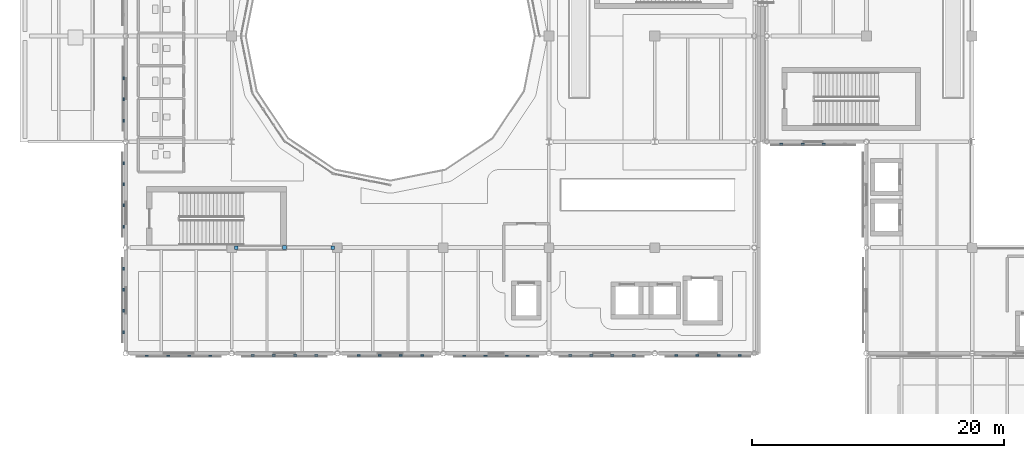
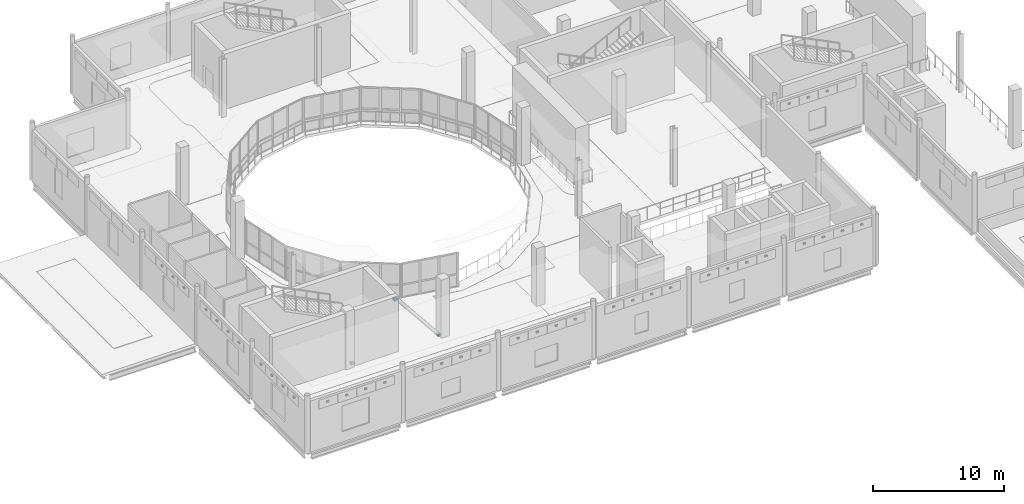
# One storey, part 75 of 110: 41 discrete accessories.
"""IFC4 building model written with IfcOpenShell, lengths in metres."""

from ifc_helpers import new_model, si_unit, direction, frame, origin, origin_2d, place, context, subcontext, project, spatial, rectangle, extrude, material, type_object, element, save


model = new_model("IFC4")

# Units and contexts
model_context = context("Model", 3, precision=1e-05, world=origin(), true_north=direction((0.0, 1.0)))
body_context = subcontext(model_context, "Body", "Model", "MODEL_VIEW")
ifc_project = project(units=[si_unit("LENGTHUNIT", "METRE"), si_unit("AREAUNIT", "SQUARE_METRE"), si_unit("VOLUMEUNIT", "CUBIC_METRE"), si_unit("PLANEANGLEUNIT", "RADIAN"), si_unit("MASSUNIT", "GRAM", prefix="KILO"), si_unit("THERMODYNAMICTEMPERATUREUNIT", "KELVIN")], contexts=[model_context])

# Site, building, storey
site_placement = place(None, origin())
site = spatial("IfcSite", under=ifc_project, at=site_placement, CompositionType="ELEMENT")
building_placement = place(site_placement, origin())
building = spatial("IfcBuilding", under=site, at=building_placement, Name="Lustrewick Department Store", CompositionType="ELEMENT")
storey_placement = place(building_placement, frame((0.0, 0.0, 6.0)))
storey = spatial("IfcBuildingStorey", under=building, at=storey_placement, Name="L02", CompositionType="ELEMENT", Elevation=6.0)

# Discrete accessories
ifc_material_1 = material(Name="Anodized filigree aluminium 6061-T6", Category="aluminium")
discrete_accessory_type_1 = type_object("IfcDiscreteAccessoryType", Name="BRK-FIL", PredefinedType="BRACKET", material=ifc_material_1)
for number, where, z_axis, x_axis, name in (
    (1, (8.219970703125, 63.840087890625, 4.1171875), (0.0, 0.0, 1.0), (0.0, -1.0, 0.0), "L02 Filigree Stand-Off Bracket 0042"),
    (2, (8.219970703125, 62.159912109375, 4.1171875), (0.0, 0.0, 1.0), (0.0, -1.0, 0.0), "L02 Filigree Stand-Off Bracket 0043"),
    (3, (8.219970703125, 60.47998046875, 4.1171875), (0.0, 0.0, 1.0), (0.0, -1.0, 0.0), "L02 Filigree Stand-Off Bracket 0044"),
    (4, (8.2099609375, 57.11279296875, 4.1171875), (0.0, 0.0, 1.0), (0.0, -1.0, 0.0), "L02 Filigree Stand-Off Bracket 0045"),
    (5, (8.2099609375, 55.4326171875, 4.1171875), (0.0, 0.0, 1.0), (0.0, -1.0, 0.0), "L02 Filigree Stand-Off Bracket 0046"),
    (6, (8.2099609375, 53.752685546875, 4.1171875), (0.0, 0.0, 1.0), (0.0, -1.0, 0.0), "L02 Filigree Stand-Off Bracket 0047"),
    (7, (8.2099609375, 52.07275390625, 4.1171875), (0.0, 0.0, 1.0), (0.0, -1.0, 0.0), "L02 Filigree Stand-Off Bracket 0048"),
    (8, (8.199951171875, 48.727294921875, 4.1171875), (0.0, 0.0, 1.0), (0.0, -1.0, 0.0), "L02 Filigree Stand-Off Bracket 0049"),
    (9, (8.199951171875, 47.04736328125, 4.1171875), (0.0, 0.0, 1.0), (0.0, -1.0, 0.0), "L02 Filigree Stand-Off Bracket 0050"),
    (10, (8.199951171875, 45.3671875, 4.1171875), (0.0, 0.0, 1.0), (0.0, -1.0, 0.0), "L02 Filigree Stand-Off Bracket 0051"),
    (11, (8.199951171875, 43.687255859375, 4.1171875), (0.0, 0.0, 1.0), (0.0, -1.0, 0.0), "L02 Filigree Stand-Off Bracket 0052"),
    (12, (10.080078125, 41.800048828125, 4.20703125), (0.0, 0.0, 1.0), (1.0, 0.0, 0.0), "L02 Filigree Stand-Off Bracket 0053"),
    (13, (11.760009765625, 41.800048828125, 4.20703125), (0.0, 0.0, 1.0), (1.0, 0.0, 0.0), "L02 Filigree Stand-Off Bracket 0054"),
    (14, (13.43994140625, 41.800048828125, 4.20703125), (0.0, 0.0, 1.0), (1.0, 0.0, 0.0), "L02 Filigree Stand-Off Bracket 0055"),
    (15, (15.1201171875, 41.800048828125, 4.20703125), (0.0, 0.0, 1.0), (1.0, 0.0, 0.0), "L02 Filigree Stand-Off Bracket 0056"),
    (16, (18.47998046875, 41.820068359375, 4.20703125), (0.0, 0.0, 1.0), (1.0, 0.0, 0.0), "L02 Filigree Stand-Off Bracket 0057"),
    (17, (20.159912109375, 41.820068359375, 4.20703125), (0.0, 0.0, 1.0), (1.0, 0.0, 0.0), "L02 Filigree Stand-Off Bracket 0058"),
    (18, (21.840087890625, 41.820068359375, 4.20703125), (0.0, 0.0, 1.0), (1.0, 0.0, 0.0), "L02 Filigree Stand-Off Bracket 0059"),
    (19, (23.52001953125, 41.820068359375, 4.20703125), (0.0, 0.0, 1.0), (1.0, 0.0, 0.0), "L02 Filigree Stand-Off Bracket 0060"),
    (20, (26.8798828125, 41.81005859375, 4.20703125), (0.0, 0.0, 1.0), (1.0, 0.0, 0.0), "L02 Filigree Stand-Off Bracket 0061"),
    (21, (28.56005859375, 41.81005859375, 4.20703125), (0.0, 0.0, 1.0), (1.0, 0.0, 0.0), "L02 Filigree Stand-Off Bracket 0062"),
    (22, (30.239990234375, 41.81005859375, 4.20703125), (0.0, 0.0, 1.0), (1.0, 0.0, 0.0), "L02 Filigree Stand-Off Bracket 0063"),
    (23, (31.919921875, 41.81005859375, 4.20703125), (0.0, 0.0, 1.0), (1.0, 0.0, 0.0), "L02 Filigree Stand-Off Bracket 0064"),
    (24, (35.280029296875, 41.800048828125, 4.20703125), (0.0, 0.0, 1.0), (1.0, 0.0, 0.0), "L02 Filigree Stand-Off Bracket 0065"),
    (25, (36.9599609375, 41.800048828125, 4.20703125), (0.0, 0.0, 1.0), (1.0, 0.0, 0.0), "L02 Filigree Stand-Off Bracket 0066"),
    (26, (38.639892578125, 41.800048828125, 4.20703125), (0.0, 0.0, 1.0), (1.0, 0.0, 0.0), "L02 Filigree Stand-Off Bracket 0067"),
    (27, (40.320068359375, 41.800048828125, 4.20703125), (0.0, 0.0, 1.0), (1.0, 0.0, 0.0), "L02 Filigree Stand-Off Bracket 0068"),
    (28, (43.679931640625, 41.820068359375, 4.20703125), (0.0, 0.0, 1.0), (1.0, 0.0, 0.0), "L02 Filigree Stand-Off Bracket 0069"),
    (29, (45.360107421875, 41.820068359375, 4.20703125), (0.0, 0.0, 1.0), (1.0, 0.0, 0.0), "L02 Filigree Stand-Off Bracket 0070"),
    (30, (47.0400390625, 41.820068359375, 4.20703125), (0.0, 0.0, 1.0), (1.0, 0.0, 0.0), "L02 Filigree Stand-Off Bracket 0071"),
    (31, (48.719970703125, 41.820068359375, 4.20703125), (0.0, 0.0, 1.0), (1.0, 0.0, 0.0), "L02 Filigree Stand-Off Bracket 0072"),
    (32, (52.10400390625, 41.81005859375, 4.20703125), (0.0, 0.0, 1.0), (1.0, 0.0, 0.0), "L02 Filigree Stand-Off Bracket 0073"),
    (33, (53.783935546875, 41.81005859375, 4.20703125), (0.0, 0.0, 1.0), (1.0, 0.0, 0.0), "L02 Filigree Stand-Off Bracket 0074"),
    (34, (55.464111328125, 41.81005859375, 4.20703125), (0.0, 0.0, 1.0), (1.0, 0.0, 0.0), "L02 Filigree Stand-Off Bracket 0075"),
    (35, (57.14404296875, 41.81005859375, 4.20703125), (0.0, 0.0, 1.0), (1.0, 0.0, 0.0), "L02 Filigree Stand-Off Bracket 0076"),
    (36, (60.4560546875, 58.610107421875, 4.1171875), (0.0, 0.0, 1.0), (1.0, 0.0, 0.0), "L02 Filigree Stand-Off Bracket 0150"),
    (37, (62.135986328125, 58.610107421875, 4.1171875), (0.0, 0.0, 1.0), (1.0, 0.0, 0.0), "L02 Filigree Stand-Off Bracket 0151"),
    (38, (63.81591796875, 58.610107421875, 4.1171875), (0.0, 0.0, 1.0), (1.0, 0.0, 0.0), "L02 Filigree Stand-Off Bracket 0152"),
):
    element("IfcDiscreteAccessory", number, at=place(storey_placement, frame(where, z_axis=z_axis, x_axis=x_axis)), inside=storey, type_object=discrete_accessory_type_1, Name=name, PredefinedType="BRACKET", context=body_context, shape_type="SweptSolid", body=[
        extrude(rectangle(XDim=0.239990234375, YDim=0.139892578125, at=origin_2d()), origin(), (0.0, 0.0, 1.0), 0.159912109375),
    ])
ifc_material_2 = material(Name="Structural steel Q355C", Category="steel")
discrete_accessory_type_2 = type_object("IfcDiscreteAccessoryType", Name="GUS-NODE", PredefinedType="BRACKET", material=ifc_material_2)
for number, where, z_axis, x_axis, name in (
    (39, (17.175048828125, 50.39990234375, 0.06005859375), (0.0, 0.0, 1.0), (1.0, 0.0, 0.0), "L02 V1 Brace Base Gusset Plate"),
    (40, (24.824951171875, 50.39990234375, 0.06005859375), (0.0, 0.0, 1.0), (1.0, 0.0, 0.0), "L02 V1 Brace Base Gusset Plate"),
):
    element("IfcDiscreteAccessory", number, at=place(storey_placement, frame(where, z_axis=z_axis, x_axis=x_axis)), inside=storey, type_object=discrete_accessory_type_2, Name=name, PredefinedType="BRACKET", context=body_context, shape_type="SweptSolid", body=[
        extrude(rectangle(XDim=0.280029296875, YDim=0.280029296875, at=origin_2d()), origin(), (0.0, 0.0, 1.0), 0.179931640625),
    ])
discrete_accessory_placement = place(storey_placement, frame((21.0, 50.39990234375, 4.68505859375), z_axis=(0.0, 0.0, 1.0), x_axis=(1.0, 0.0, 0.0)))
element("IfcDiscreteAccessory", 41, at=discrete_accessory_placement, inside=storey, type_object=discrete_accessory_type_2, Name="L02 V1 Chevron Brace Apex Gusset Plate", PredefinedType="BRACKET", context=body_context, shape_type="SweptSolid", body=[
    extrude(rectangle(XDim=0.320068359375, YDim=0.320068359375, at=origin_2d()), origin(), (0.0, 0.0, 1.0), 0.219970703125),
])

save(model, "model.ifc")
